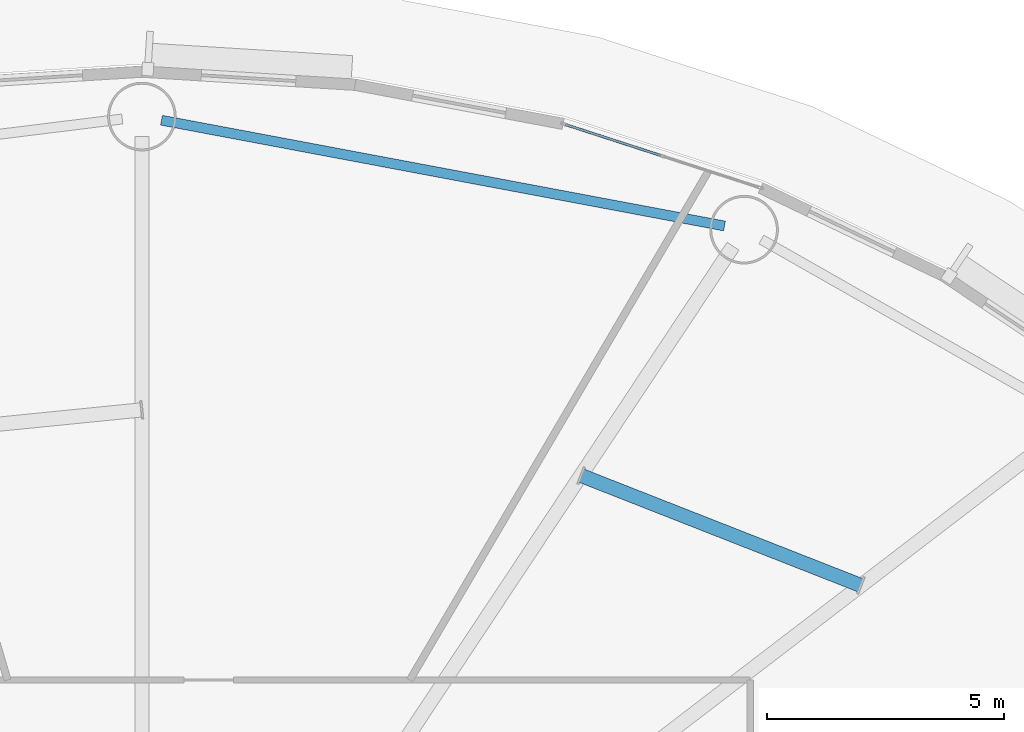
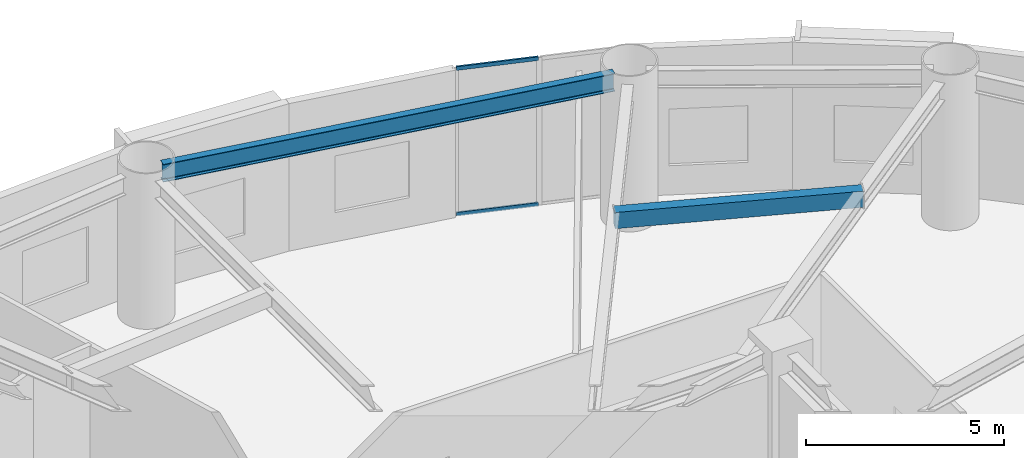
# One storey, part 4 of 19: 2 beams, 2 members, 1 element without a shape of its own.
"""IFC4 building model written with IfcOpenShell, lengths in metres."""

from ifc_helpers import new_model, si_unit, direction, frame, origin, origin_2d, place, context, subcontext, project, spatial, hollow_rectangle, i_section, extrude, source, transform, mapped, material, layer, layer_set, material_profile, profile_set, type_object, element, aggregate, save


model = new_model("IFC4")

# Units and contexts
model_context = context("Model", 3, precision=1e-05, world=origin(), true_north=direction((0.0, 1.0)))
body_context = subcontext(model_context, "Body", "Model", "MODEL_VIEW")
ifc_project = project(units=[si_unit("LENGTHUNIT", "METRE"), si_unit("AREAUNIT", "SQUARE_METRE"), si_unit("VOLUMEUNIT", "CUBIC_METRE"), si_unit("PLANEANGLEUNIT", "RADIAN"), si_unit("MASSUNIT", "GRAM", prefix="KILO")], contexts=[model_context])

# Site, building, storey
site_placement = place(None, origin())
site = spatial("IfcSite", under=ifc_project, at=site_placement, CompositionType="ELEMENT")
building_placement = place(site_placement, origin())
building = spatial("IfcBuilding", under=site, at=building_placement, Name="Linh Dai School and Residence Tower", CompositionType="ELEMENT")
storey_placement = place(building_placement, frame((0.0, 0.0, 92.39990234375)))
storey = spatial("IfcBuildingStorey", under=building, at=storey_placement, Name="L21", CompositionType="ELEMENT", Elevation=92.39990234375)

# Beams
ifc_material_1 = material(Name="Structural Steel S355JR", Category="steel")
ifc_material_profile_1 = material_profile(ifc_material_1, hollow_rectangle(XDim=0.300048828125, YDim=0.5, WallThickness=0.01611328125, at=origin_2d()), Name="RHS 500x300x16")
ifc_profile_set_1 = profile_set([ifc_material_profile_1], Name="Structural Steel S355JR")
beam_type_1 = type_object("IfcBeamType", Name="BM-BX5", PredefinedType="BEAM", material=ifc_profile_set_1)
beam_1_placement = place(storey_placement, frame((51.189453125, 38.64794921875, 4.300048828125), z_axis=(-0.930742146732, 0.365676163151, 0.0), x_axis=(-0.365676163151, -0.930742146732, 0.0)))
element("IfcBeam", 1, at=beam_1_placement, inside=storey, type_object=beam_type_1, Name="L21 Secondary Circumferential Floor Beam 02", PredefinedType="BEAM", context=body_context, shape_type="SweptSolid", body=[
    extrude(hollow_rectangle(XDim=0.300048828125, YDim=0.5, WallThickness=0.01611328125, at=origin_2d()), origin(), (0.0, 0.0, 1.0), 6.349853515625),
])
ifc_material_profile_2 = material_profile(ifc_material_1, i_section(OverallWidth=0.2099609375, OverallDepth=0.550048828125, WebThickness=0.010986328125, FlangeThickness=0.01708984375, FilletRadius=0.02392578125, at=origin_2d()), Name="IPE 550")
ifc_profile_set_2 = profile_set([ifc_material_profile_2], Name="Structural Steel S355JR")
beam_type_2 = type_object("IfcBeamType", Name="BM-RB55", PredefinedType="BEAM", material=ifc_profile_set_2)
beam_2_placement = place(storey_placement, frame((48.30908203125, 46.24267578125, 4.275146484375), z_axis=(-0.982807507457, 0.184633158685, 0.0), x_axis=(-0.184633158685, -0.982807507457, 0.0)))
element("IfcBeam", 2, at=beam_2_placement, inside=storey, type_object=beam_type_2, Name="L21 Perimeter Elliptical Ring Beam 04", PredefinedType="BEAM", context=body_context, shape_type="SweptSolid", body=[
    extrude(i_section(OverallWidth=0.2099609375, OverallDepth=0.550048828125, WebThickness=0.010986328125, FlangeThickness=0.01708984375, FilletRadius=0.02392578125, at=origin_2d()), origin(), (0.0, 0.0, 1.0), 12.104248046875),
])

# Curtain wall, members
ifc_material_2 = material(Name="Aluminium Anodised Curtain Wall", Category="aluminium")
ifc_layer = layer(ifc_material_2, 0.14990234375)
ifc_layer_set = layer_set([ifc_layer], Name="Aluminium Anodised Curtain Wall")
curtain_wall_type = type_object("IfcCurtainWallType", Name="CW-SYS-4", PredefinedType="USERDEFINED", material=ifc_layer_set)
curtain_wall_placement = place(storey_placement, origin())
curtain_wall = element("IfcCurtainWall", 3, at=curtain_wall_placement, inside=storey, type_object=curtain_wall_type, Name="L21 CW4 Curtain Wall 08", ObjectType="RIBBON CURTAIN WALL", PredefinedType="USERDEFINED")
ifc_material_3 = material(Name="Aluminium Alloy 6063-T6", Category="aluminium")
ifc_material_profile_3 = material_profile(ifc_material_3, hollow_rectangle(XDim=0.052001953125, YDim=0.114990234375, WallThickness=0.00390625, at=origin_2d()), Name="RHS 115x52x4")
ifc_profile_set_3 = profile_set([ifc_material_profile_3], Name="Aluminium Alloy 6063-T6")
member_type = type_object("IfcMemberType", Name="CW-SYS-4-TRN", PredefinedType="USERDEFINED", material=ifc_profile_set_3)
shared_shape = source(origin(), body_context, "Body", "SweptSolid", [
    extrude(hollow_rectangle(XDim=0.052001953125, YDim=0.114990234375, WallThickness=0.00390625, at=origin_2d()), origin(), (0.0, 0.0, 1.0), 2.1162109375),
])
member_1_placement = place(storey_placement, frame((44.94921875, 48.38525390625, 0.026123046875), z_axis=(0.95122464899, -0.308499055355, 0.0), x_axis=(0.308499055355, 0.95122464899, 0.0)))
member_1 = element("IfcMember", 4, at=member_1_placement, type_object=member_type, Name="CW4 transom 1.1", ObjectType="TRANSOM", PredefinedType="USERDEFINED", context=body_context, shape_type="MappedRepresentation", body=[
    mapped(shared_shape, transform((0.0, 0.0, 0.0), x_axis=(1.0, 0.0, 0.0), y_axis=(0.0, 1.0, 0.0), z_axis=(0.0, 0.0, 1.0), scale=1.0)),
])
member_2_placement = place(storey_placement, frame((44.94921875, 48.38525390625, 4.524169921875), z_axis=(0.95122464899, -0.308499055355, 0.0), x_axis=(0.308499055355, 0.95122464899, 0.0)))
member_2 = element("IfcMember", 5, at=member_2_placement, type_object=member_type, Name="CW4 transom 1.2", ObjectType="TRANSOM", PredefinedType="USERDEFINED", context=body_context, shape_type="MappedRepresentation", body=[
    mapped(shared_shape, transform((0.0, 0.0, 0.0), x_axis=(1.0, 0.0, 0.0), y_axis=(0.0, 1.0, 0.0), z_axis=(0.0, 0.0, 1.0), scale=1.0)),
])
aggregate(curtain_wall, [member_1, member_2])

save(model, "model.ifc")
